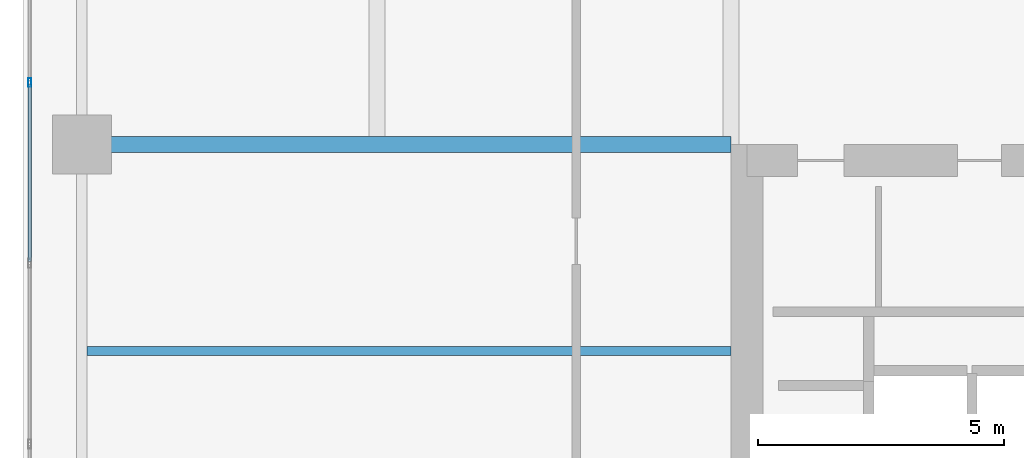
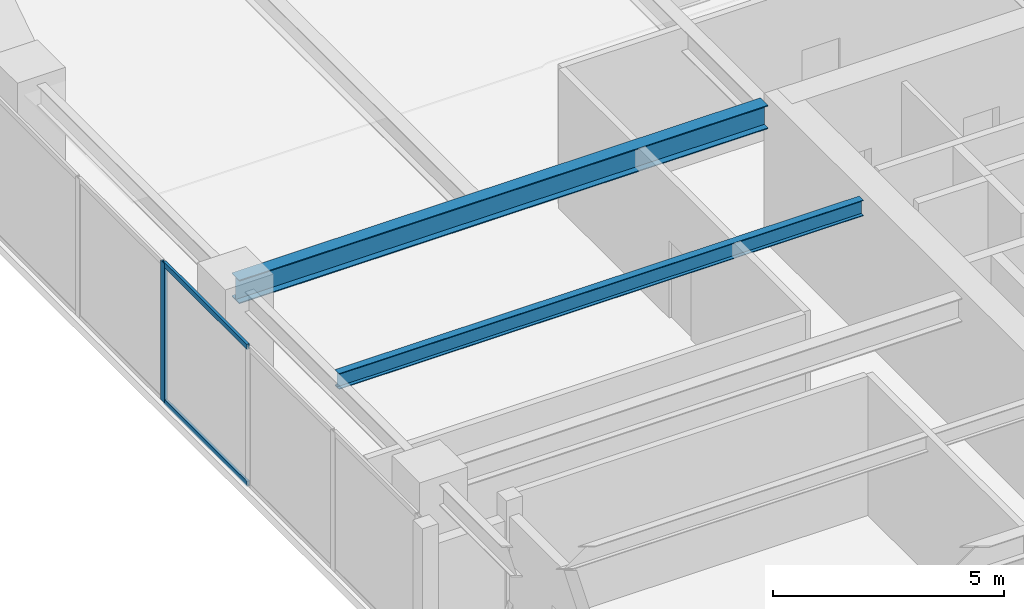
# One storey, part 6 of 30: 3 members, 2 beams, 1 element without a shape of its own.
"""IFC4 building model written with IfcOpenShell, lengths in metres."""

from ifc_helpers import new_model, si_unit, direction, frame, origin, origin_2d, place, context, subcontext, project, spatial, hollow_rectangle, i_section, extrude, material, layer, layer_set, material_profile, profile_set, type_object, element, aggregate, save


model = new_model("IFC4")

# Units and contexts
model_context = context("Model", 3, precision=1e-05, world=origin(), true_north=direction((0.0, 1.0)))
body_context = subcontext(model_context, "Body", "Model", "MODEL_VIEW")
ifc_project = project(units=[si_unit("LENGTHUNIT", "METRE"), si_unit("AREAUNIT", "SQUARE_METRE"), si_unit("VOLUMEUNIT", "CUBIC_METRE"), si_unit("PLANEANGLEUNIT", "RADIAN"), si_unit("MASSUNIT", "GRAM", prefix="KILO")], contexts=[model_context])

# Site, building, storey
site_placement = place(None, origin())
site = spatial("IfcSite", under=ifc_project, at=site_placement, CompositionType="ELEMENT")
building_placement = place(site_placement, origin())
building = spatial("IfcBuilding", under=site, at=building_placement, Name="Kiyonajd Concourse Tower", CompositionType="ELEMENT")
storey_placement = place(building_placement, frame((0.0, 0.0, 190.199951171875)))
storey = spatial("IfcBuildingStorey", under=building, at=storey_placement, Name="L48", CompositionType="ELEMENT", Elevation=190.199951171875)

# Beams
ifc_material_1 = material(Name="Steel ASTM A992 Grade 50", Category="steel")
ifc_material_profile_1 = material_profile(ifc_material_1, i_section(OverallWidth=0.180908203125, OverallDepth=0.4169921875, WebThickness=0.010986328125, FlangeThickness=0.018310546875, at=origin_2d()), Name="W410X85")
ifc_profile_set_1 = profile_set([ifc_material_profile_1], Name="Steel ASTM A992 Grade 50")
beam_type_1 = type_object("IfcBeamType", Name="BM-JST-410", PredefinedType="JOIST", material=ifc_profile_set_1)
beam_1_placement = place(storey_placement, frame((19.306884765625, 40.199951171875, 3.471435546875), z_axis=(1.0, 0.0, 0.0), x_axis=(0.0, 1.0, 0.0)))
element("IfcBeam", 1, at=beam_1_placement, inside=storey, type_object=beam_type_1, Name="L48 West Secondary Floor Joist", PredefinedType="JOIST", context=body_context, shape_type="SweptSolid", body=[
    extrude(i_section(OverallWidth=0.180908203125, OverallDepth=0.4169921875, WebThickness=0.010986328125, FlangeThickness=0.018310546875, at=origin_2d()), origin(), (0.0, 0.0, 1.0), 13.093017578125),
])
ifc_material_profile_2 = material_profile(ifc_material_1, i_section(OverallWidth=0.326904296875, OverallDepth=0.6220703125, WebThickness=0.015380859375, FlangeThickness=0.0244140625, at=origin_2d()), Name="W610X195")
ifc_profile_set_2 = profile_set([ifc_material_profile_2], Name="Steel ASTM A992 Grade 50")
beam_type_2 = type_object("IfcBeamType", Name="BM-TWR-610A", PredefinedType="BEAM", material=ifc_profile_set_2)
beam_2_placement = place(storey_placement, frame((19.199951171875, 44.39990234375, 3.369140625), z_axis=(1.0, 0.0, 0.0), x_axis=(0.0, 1.0, 0.0)))
element("IfcBeam", 2, at=beam_2_placement, inside=storey, type_object=beam_type_2, Name="L48 West Lease Girder", PredefinedType="BEAM", context=body_context, shape_type="SweptSolid", body=[
    extrude(i_section(OverallWidth=0.326904296875, OverallDepth=0.6220703125, WebThickness=0.015380859375, FlangeThickness=0.0244140625, at=origin_2d()), origin(), (0.0, 0.0, 1.0), 13.199951171875),
])

# Curtain wall, members
ifc_material_2 = material(Name="Thermally Broken Anodised Aluminium", Category="aluminium")
ifc_layer = layer(ifc_material_2, 0.179931640625)
ifc_layer_set = layer_set([ifc_layer], Name="Thermally Broken Anodised Aluminium")
curtain_wall_type = type_object("IfcCurtainWallType", Name="CW-SYS-03", PredefinedType="NOTDEFINED", material=ifc_layer_set)
curtain_wall_placement = place(storey_placement, origin())
curtain_wall = element("IfcCurtainWall", 3, at=curtain_wall_placement, inside=storey, type_object=curtain_wall_type, Name="L48 Unitised Curtain Wall CW3", PredefinedType="NOTDEFINED")
ifc_material_profile_3 = material_profile(ifc_material_2, hollow_rectangle(XDim=0.06494140625, YDim=0.179931640625, WallThickness=0.00390625, at=origin_2d()), Name="MULL-65x180")
ifc_profile_set_3 = profile_set([ifc_material_profile_3], Name="Thermally Broken Anodised Aluminium")
member_type_1 = type_object("IfcMemberType", Name="MB-CW-MULL1", PredefinedType="MULLION", material=ifc_profile_set_3)
member_1_placement = place(storey_placement, frame((18.139892578125, 45.660888671875, 0.0), z_axis=(0.0, 0.0, 1.0), x_axis=(-1.0, 0.0, 0.0)))
member_1 = element("IfcMember", 4, at=member_1_placement, type_object=member_type_1, Name="CW3 mullion 4", PredefinedType="MULLION", context=body_context, shape_type="SweptSolid", body=[
    extrude(hollow_rectangle(XDim=0.06494140625, YDim=0.179931640625, WallThickness=0.00390625, at=origin_2d()), origin(), (0.0, 0.0, 1.0), 3.679931640625),
])
ifc_material_profile_4 = material_profile(ifc_material_2, hollow_rectangle(XDim=0.06494140625, YDim=0.139892578125, WallThickness=0.00390625, at=origin_2d()), Name="TRAN-65x140")
ifc_profile_set_4 = profile_set([ifc_material_profile_4], Name="Thermally Broken Anodised Aluminium")
member_type_2 = type_object("IfcMemberType", Name="MB-CW-TRAN1", PredefinedType="USERDEFINED", material=ifc_profile_set_4)
member_2_placement = place(storey_placement, frame((18.139892578125, 42.016357421875, 0.032470703125), z_axis=(0.0, 1.0, 0.0), x_axis=(-1.0, 0.0, 0.0)))
member_2 = element("IfcMember", 5, at=member_2_placement, type_object=member_type_2, Name="CW3 transom 3.1", ObjectType="TRANSOM", PredefinedType="USERDEFINED", context=body_context, shape_type="SweptSolid", body=[
    extrude(hollow_rectangle(XDim=0.06494140625, YDim=0.139892578125, WallThickness=0.00390625, at=origin_2d()), origin(), (0.0, 0.0, 1.0), 3.612060546875),
])
member_3_placement = place(storey_placement, frame((18.139892578125, 42.016357421875, 3.6474609375), z_axis=(0.0, 1.0, 0.0), x_axis=(-1.0, 0.0, 0.0)))
member_3 = element("IfcMember", 6, at=member_3_placement, type_object=member_type_2, Name="CW3 transom 3.2", ObjectType="TRANSOM", PredefinedType="USERDEFINED", context=body_context, shape_type="SweptSolid", body=[
    extrude(hollow_rectangle(XDim=0.06494140625, YDim=0.139892578125, WallThickness=0.00390625, at=origin_2d()), origin(), (0.0, 0.0, 1.0), 3.612060546875),
])
aggregate(curtain_wall, [member_1, member_2, member_3])

save(model, "model.ifc")
